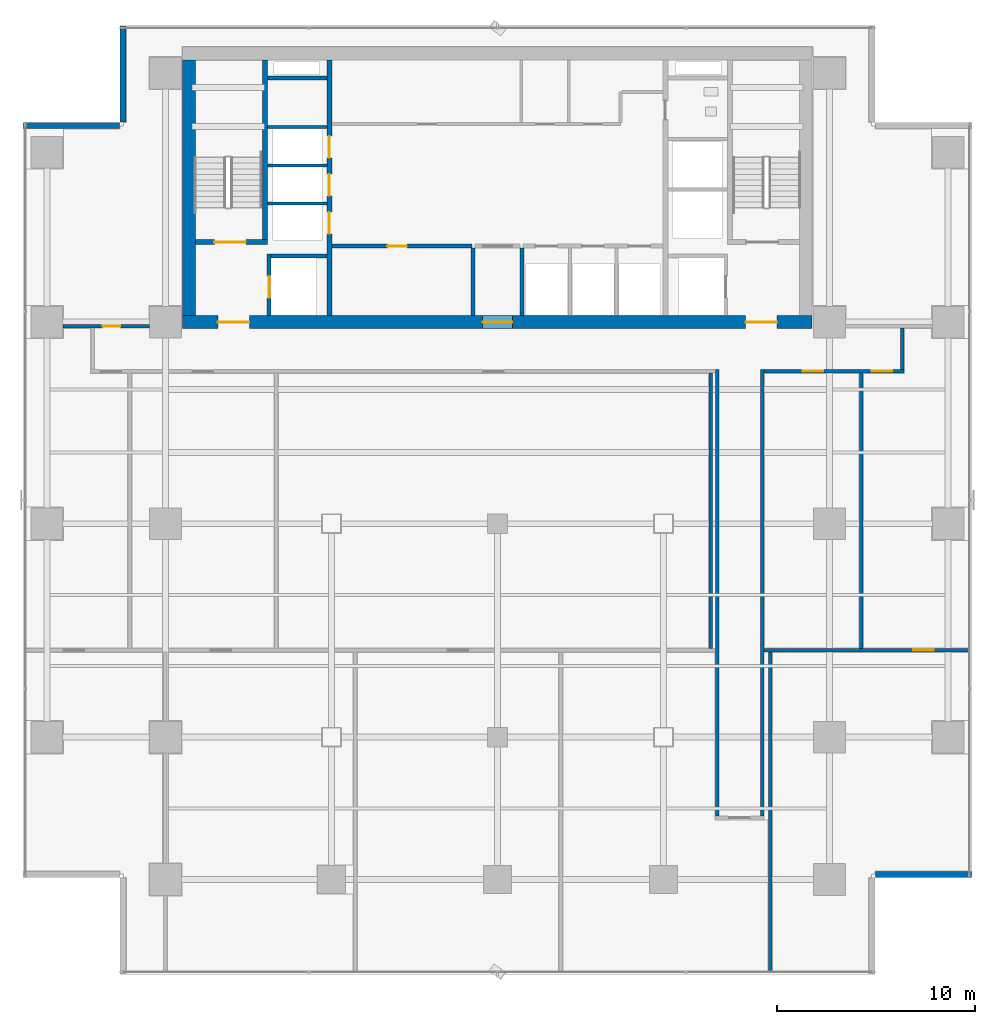
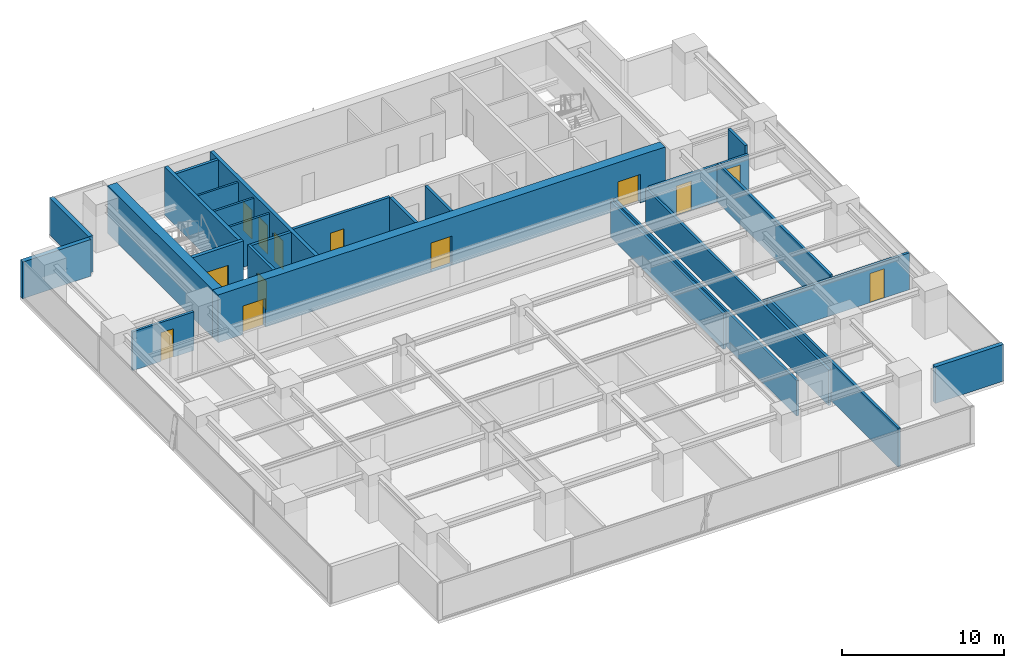
# One storey, part 21 of 28: 26 walls, 13 doors, 13 openings.
"""IFC4 building model written with IfcOpenShell, lengths in metres."""

import ifcopenshell
import ifcopenshell.guid

model = None  # the IFC model being written
_history = None  # IfcOwnerHistory: only IFC2X3 demands one
_inside = {}  # id of a spatial element -> (the spatial element, [elements in it])
_under = {}  # id of a project, library or spatial element -> (it, [spatial elements below it])
_declared = {}  # id of a project -> (the project, [libraries it declares])
_typed = {}  # id of a type object -> (the type object, [elements of that type])
_made_of = {}  # id of a material, layer set ... -> (it, [elements and type objects made of it])


def new_model(schema):
    """Start an empty IFC model of exactly this schema.

    Asked for "IFC4X3", IfcOpenShell would pick the latest addendum, in which some entities
    have other attributes; the version numbers below select the first issue.
    IFC2X3 requires an IfcOwnerHistory on every rooted entity: one is made here for all.
    """
    global model, _history
    if schema == "IFC4X3":
        model = ifcopenshell.file(schema_version=(4, 3, 0, 0))
    else:
        model = ifcopenshell.file(schema=schema)
    _inside.clear()
    _under.clear()
    _declared.clear()
    _typed.clear()
    _made_of.clear()
    _history = None
    if model.schema == "IFC2X3":
        org = make("IfcOrganization", Name="unknown")
        user = make(
            "IfcPersonAndOrganization",
            ThePerson=make("IfcPerson", FamilyName="unknown"),
            TheOrganization=org,
        )
        app = make(
            "IfcApplication",
            ApplicationDeveloper=org,
            Version="unknown",
            ApplicationFullName="unknown",
            ApplicationIdentifier="unknown",
        )
        _history = make(
            "IfcOwnerHistory",
            OwningUser=user,
            OwningApplication=app,
            ChangeAction="ADDED",
            CreationDate=0,
        )
    return model


def make(cls, **values):
    """One entity of the class cls with the attributes given. An attribute that is None is left unset."""
    return model.create_entity(
        cls, **{name: value for name, value in values.items() if value is not None}
    )


def rooted(cls, **values):
    """An entity with a GlobalId (a new one), such as an element, a storey or a relation."""
    return make(cls, GlobalId=ifcopenshell.guid.new(), OwnerHistory=_history, **values)


def si_unit(unit_type, name, prefix=None):
    """IfcSIUnit, for example si_unit("LENGTHUNIT", "METRE", prefix="MILLI")."""
    return make("IfcSIUnit", UnitType=unit_type, Prefix=prefix, Name=name)


def assignment(units):
    """IfcUnitAssignment: the units of a project."""
    return None if units is None else make("IfcUnitAssignment", Units=units)


def point(xyz):
    """IfcCartesianPoint."""
    return None if xyz is None else make("IfcCartesianPoint", Coordinates=xyz)


def direction(xyz):
    """IfcDirection."""
    return None if xyz is None else make("IfcDirection", DirectionRatios=xyz)


def frame(location, z_axis=None, x_axis=None):
    """IfcAxis2Placement3D, a coordinate frame: its origin and axes. An axis left out is left unset."""
    return make(
        "IfcAxis2Placement3D",
        Location=point(location),
        Axis=direction(z_axis),
        RefDirection=direction(x_axis),
    )


def frame_2d(location, x_axis=None):
    """IfcAxis2Placement2D, a coordinate frame in the plane: its origin and x axis."""
    return make(
        "IfcAxis2Placement2D", Location=point(location), RefDirection=direction(x_axis)
    )


def origin():
    """The frame at (0, 0, 0) with its axes left unset."""
    return frame((0.0, 0.0, 0.0))


def place(relative_to, where):
    """IfcLocalPlacement: puts the frame where relative to a parent placement (None: the world)."""
    return make(
        "IfcLocalPlacement", PlacementRelTo=relative_to, RelativePlacement=where
    )


def context(
    kind, dimensions, precision=None, world=None, true_north=None, identifier=None
):
    """IfcGeometricRepresentationContext, for example the 3D "Model" context."""
    return make(
        "IfcGeometricRepresentationContext",
        ContextIdentifier=identifier,
        ContextType=kind,
        CoordinateSpaceDimension=dimensions,
        Precision=precision,
        WorldCoordinateSystem=world,
        TrueNorth=true_north,
    )


def subcontext(parent, identifier, kind, view, scale=None):
    """IfcGeometricRepresentationSubContext, for example "Body" below "Model"."""
    return make(
        "IfcGeometricRepresentationSubContext",
        ContextIdentifier=identifier,
        ContextType=kind,
        ParentContext=parent,
        TargetScale=scale,
        TargetView=view,
    )


def project(units=None, contexts=None):
    """IfcProject with its units and contexts."""
    return rooted(
        "IfcProject",
        Name="project",
        RepresentationContexts=contexts,
        UnitsInContext=assignment(units),
    )


def spatial(cls, under=None, at=None, **own):
    """A site, building, storey or space (cls), placed at a placement, below another one or the project."""
    s = rooted(cls, ObjectPlacement=at, **own)
    if under is not None:
        _under.setdefault(under.id(), (under, []))[1].append(s)
    return s


def profile(cls, at=None, kind="AREA", **sizes):
    """A parametric profile (cls). Its sizes go by their IFC names, for example OverallWidth=200.0."""
    return make(cls, ProfileType=kind, Position=at, **sizes)


def rectangle(**sizes):
    """IfcRectangleProfileDef."""
    return profile("IfcRectangleProfileDef", **sizes)


def extrude(swept, where, along, depth):
    """IfcExtrudedAreaSolid: the profile swept, set in the frame where, extruded along a direction by depth."""
    return make(
        "IfcExtrudedAreaSolid",
        SweptArea=swept,
        Position=where,
        ExtrudedDirection=direction(along),
        Depth=depth,
    )


def shape(context_of_items, identifier, shape_type, items):
    """IfcShapeRepresentation: the items that make up one representation, for example the "Body"."""
    return make(
        "IfcShapeRepresentation",
        ContextOfItems=context_of_items,
        RepresentationIdentifier=identifier,
        RepresentationType=shape_type,
        Items=items,
    )


def source(mapping_origin, context_of_items, identifier, shape_type, items):
    """IfcRepresentationMap: a shape defined once, which mapped items show again and again."""
    return make(
        "IfcRepresentationMap",
        MappingOrigin=mapping_origin,
        MappedRepresentation=shape(context_of_items, identifier, shape_type, items),
    )


def transform(
    local_origin,
    x_axis=None,
    y_axis=None,
    z_axis=None,
    scale=None,
    scale2=None,
    scale3=None,
    uniform=True,
):
    """IfcCartesianTransformationOperator3D, or its non-uniform kind. x_axis, y_axis, z_axis: its Axis1, 2, 3."""
    if uniform:
        return make(
            "IfcCartesianTransformationOperator3D",
            Axis1=direction(x_axis),
            Axis2=direction(y_axis),
            LocalOrigin=point(local_origin),
            Scale=scale,
            Axis3=direction(z_axis),
        )
    return make(
        "IfcCartesianTransformationOperator3DnonUniform",
        Axis1=direction(x_axis),
        Axis2=direction(y_axis),
        LocalOrigin=point(local_origin),
        Scale=scale,
        Axis3=direction(z_axis),
        Scale2=scale2,
        Scale3=scale3,
    )


def mapped(mapping_source, mapping_target):
    """IfcMappedItem: shows the shape of a source again, moved by a transform."""
    return make(
        "IfcMappedItem", MappingSource=mapping_source, MappingTarget=mapping_target
    )


def material(Name=None, Category=None):
    """IfcMaterial."""
    return make("IfcMaterial", Name=Name, Category=Category)


def layer(
    of_material, thickness, ventilated=None, Name=None, Category=None, Priority=None
):
    """IfcMaterialLayer: one layer of a wall or slab, of a material (None: an air gap)."""
    return make(
        "IfcMaterialLayer",
        Material=of_material,
        LayerThickness=thickness,
        IsVentilated=ventilated,
        Name=Name,
        Category=Category,
        Priority=Priority,
    )


def layer_set(layers, Name=None):
    """IfcMaterialLayerSet."""
    return make("IfcMaterialLayerSet", MaterialLayers=layers, LayerSetName=Name)


def made_of(thing, what):
    """Note that an element or type object is made of a material, layer set ...; save() writes the relation."""
    if what is not None:
        _made_of.setdefault(what.id(), (what, []))[1].append(thing)
    return thing


def type_object(cls, material=None, **own):
    """A type object (cls), such as IfcWallType, which elements share."""
    return made_of(rooted(cls, **own), material)


def element(
    cls,
    number,
    at=None,
    inside=None,
    cuts=None,
    type_object=None,
    material=None,
    context=None,
    identifier="Body",
    shape_type=None,
    held_by="IfcProductDefinitionShape",
    body=None,
    shapes=None,
    **own,
):
    """One element of the class cls, such as IfcWall. Its Tag is "e" and its number.

    at: its placement. inside: the storey or other place that contains it. cuts: it is an
    opening in that element (IfcRelVoidsElement). A single representation is given by context,
    identifier, shape_type and body (its items); several are given by shapes. held_by: the class
    of the entity that holds the representations. save() writes the other relations.
    """
    e = rooted(cls, Tag="e%d" % number, ObjectPlacement=at, **own)
    if body is not None:
        shapes = [shape(context, identifier, shape_type, body)]
    if shapes is not None:
        e.Representation = make(held_by, Representations=shapes)
    if inside is not None:
        _inside.setdefault(inside.id(), (inside, []))[1].append(e)
    if cuts is not None:
        rooted(
            "IfcRelVoidsElement", RelatingBuildingElement=cuts, RelatedOpeningElement=e
        )
    if type_object is not None:
        _typed.setdefault(type_object.id(), (type_object, []))[1].append(e)
    return made_of(e, material)


def fill(opening, filler):
    """IfcRelFillsElement: the door or window that sits in an opening."""
    return rooted(
        "IfcRelFillsElement",
        RelatingOpeningElement=opening,
        RelatedBuildingElement=filler,
    )


def aggregate(whole, parts):
    """IfcRelAggregates: a whole, such as a stair, and the parts it consists of."""
    return rooted("IfcRelAggregates", RelatingObject=whole, RelatedObjects=parts)


def save(model, path):
    """Write the relations noted so far, then the file.

    IfcRelAggregates (storeys below a building ...), IfcRelContainedInSpatialStructure (elements
    in a storey), IfcRelDefinesByType, IfcRelAssociatesMaterial and IfcRelDeclares: one each for
    every whole, place, type object, material and project.
    """
    for whole, parts in _under.values():
        aggregate(whole, parts)
    for where, things in _inside.values():
        rooted(
            "IfcRelContainedInSpatialStructure",
            RelatedElements=things,
            RelatingStructure=where,
        )
    for kind, things in _typed.values():
        rooted("IfcRelDefinesByType", RelatedObjects=things, RelatingType=kind)
    for what, things in _made_of.values():
        rooted("IfcRelAssociatesMaterial", RelatedObjects=things, RelatingMaterial=what)
    for by, libraries in _declared.values():
        rooted("IfcRelDeclares", RelatingContext=by, RelatedDefinitions=libraries)
    model.write(path)


model = new_model("IFC4")

# Units and contexts
model_context = context("Model", 3, precision=1e-05, world=origin(), true_north=direction((0.0, 1.0)))
body_context = subcontext(model_context, "Body", "Model", "MODEL_VIEW")
ifc_project = project(units=[si_unit("LENGTHUNIT", "METRE"), si_unit("AREAUNIT", "SQUARE_METRE"), si_unit("VOLUMEUNIT", "CUBIC_METRE"), si_unit("PLANEANGLEUNIT", "RADIAN"), si_unit("MASSUNIT", "GRAM", prefix="KILO")], contexts=[model_context])

# Site, building, storey
site_placement = place(None, origin())
site = spatial("IfcSite", under=ifc_project, at=site_placement, CompositionType="ELEMENT")
building_placement = place(site_placement, origin())
building = spatial("IfcBuilding", under=site, at=building_placement, Name="Sumidabori Civic Tower", CompositionType="ELEMENT")
storey_placement = place(building_placement, frame((0.0, 0.0, 171.199951171875)))
storey = spatial("IfcBuildingStorey", under=building, at=storey_placement, Name="L44", CompositionType="ELEMENT", Elevation=171.199951171875)

# Walls
ifc_material_1 = material(Name="Concrete C50/60", Category="concrete")
ifc_layer_1 = layer(ifc_material_1, 0.199951171875, Name="Concrete C50/60")
ifc_layer_set_1 = layer_set([ifc_layer_1], Name="Concrete C50/60")
wall_type_1 = type_object("IfcWallType", Name="WL-SHAFT-200", PredefinedType="SHEAR", material=ifc_layer_set_1)
shared_shape_1 = source(origin(), body_context, "Body", "SweptSolid", [
    extrude(rectangle(XDim=2.824951171875, YDim=0.199951171875, at=frame_2d((1.41259765625, 0.0))), origin(), (0.0, 0.0, 1.0), 3.60009765625),
])
wall_1_placement = place(storey_placement, frame((-11.449951171875, 13.550048828125, 0.0), z_axis=(0.0, 0.0, 1.0), x_axis=(1.0, 0.0, 0.0)))
element("IfcWall", 1, at=wall_1_placement, inside=storey, type_object=wall_type_1, Name="Core Shear Wall L44 EL1-N", PredefinedType="SHEAR", context=body_context, shape_type="MappedRepresentation", body=[
    mapped(shared_shape_1, transform((0.0, 0.0, 0.0), x_axis=(1.0, 0.0, 0.0), y_axis=(0.0, 1.0, 0.0), z_axis=(0.0, 0.0, 1.0), scale=1.0)),
])
shared_shape_2 = source(origin(), body_context, "Body", "SweptSolid", [
    extrude(rectangle(XDim=3.02001953125, YDim=0.199951171875, at=frame_2d((1.510009765625, 0.0))), origin(), (0.0, 0.0, 1.0), 3.60009765625),
])
wall_2_placement = place(storey_placement, frame((-11.64501953125, 22.550048828125, 0.0), z_axis=(0.0, 0.0, 1.0), x_axis=(1.0, 0.0, 0.0)))
element("IfcWall", 2, at=wall_2_placement, inside=storey, type_object=wall_type_1, Name="Core Shear Wall L44 RIS1-S", PredefinedType="SHEAR", context=body_context, shape_type="MappedRepresentation", body=[
    mapped(shared_shape_2, transform((0.0, 0.0, 0.0), x_axis=(1.0, 0.0, 0.0), y_axis=(0.0, 1.0, 0.0), z_axis=(0.0, 0.0, 1.0), scale=1.0)),
])

# Wall, openings, doors
ifc_material_2 = material(Name="Concrete C60/75", Category="concrete")
ifc_layer_2 = layer(ifc_material_2, 0.64990234375, Name="Concrete C60/75")
ifc_layer_set_2 = layer_set([ifc_layer_2], Name="Concrete C60/75")
wall_type_2 = type_object("IfcWallType", Name="WL-CORE-650", PredefinedType="SHEAR", material=ifc_layer_set_2)
shared_shape_3 = source(origin(), body_context, "Body", "SweptSolid", [
    extrude(rectangle(XDim=31.85009765625, YDim=0.64990234375, at=frame_2d((15.925048828125, 0.0))), origin(), (0.0, 0.0, 1.0), 3.60009765625),
])
wall_3_placement = place(storey_placement, frame((-15.925048828125, 10.199951171875, 0.0), z_axis=(0.0, 0.0, 1.0), x_axis=(1.0, 0.0, 0.0)))
wall_3 = element("IfcWall", 3, at=wall_3_placement, inside=storey, type_object=wall_type_2, Name="Core Shear Wall L44 S", PredefinedType="SHEAR", context=body_context, shape_type="MappedRepresentation", body=[
    mapped(shared_shape_3, transform((0.0, 0.0, 0.0), x_axis=(1.0, 0.0, 0.0), y_axis=(0.0, 1.0, 0.0), z_axis=(0.0, 0.0, 1.0), scale=1.0)),
])
opening_1_placement = place(wall_3_placement, frame((1.77490234375, 0.0, 0.0)))
opening_1 = element("IfcOpeningElement", 4, at=opening_1_placement, cuts=wall_3, Name="Opening DR-FD4", PredefinedType="OPENING", context=body_context, shape_type="SweptSolid", body=[
    extrude(rectangle(XDim=1.60009765625, YDim=2.14990234375, at=frame_2d((0.800048828125, 1.074951171875))), frame((0.0, 0.3369140625, 0.0), z_axis=(0.0, -1.0, 0.0), x_axis=(1.0, 0.0, 0.0)), (0.0, 0.0, 1.0), 0.673828125),
])
opening_2_placement = place(wall_3_placement, frame((28.47509765625, 0.0, 0.0)))
opening_2 = element("IfcOpeningElement", 5, at=opening_2_placement, cuts=wall_3, Name="Opening DR-FD4", PredefinedType="OPENING", context=body_context, shape_type="SweptSolid", body=[
    extrude(rectangle(XDim=1.60009765625, YDim=2.14990234375, at=frame_2d((0.800048828125, 1.074951171875))), frame((0.0, 0.3369140625, 0.0), z_axis=(0.0, -1.0, 0.0), x_axis=(1.0, 0.0, 0.0)), (0.0, 0.0, 1.0), 0.673828125),
])
opening_3_placement = place(wall_3_placement, frame((15.175048828125, 0.0, 0.0)))
opening_3 = element("IfcOpeningElement", 6, at=opening_3_placement, cuts=wall_3, Name="Opening DR-FD3", PredefinedType="OPENING", context=body_context, shape_type="SweptSolid", body=[
    extrude(rectangle(XDim=1.5, YDim=2.199951171875, at=frame_2d((0.75, 1.10009765625))), frame((0.0, 0.3369140625, 0.0), z_axis=(0.0, -1.0, 0.0), x_axis=(1.0, 0.0, 0.0)), (0.0, 0.0, 1.0), 0.673828125),
])
ifc_material_3 = material(Name="Steel SN490", Category="steel")
door_type_1 = type_object("IfcDoorType", Name="DR-FD4", OperationType="DOUBLE_DOOR_SINGLE_SWING", PredefinedType="DOOR", material=ifc_material_3)
shared_shape_4 = source(origin(), body_context, "Body", "SweptSolid", [
    extrude(rectangle(XDim=1.60009765625, YDim=2.14990234375, at=frame_2d((0.800048828125, 1.074951171875))), frame((0.0, 0.02490234375, 0.0), z_axis=(0.0, -1.0, 0.0), x_axis=(1.0, 0.0, 0.0)), (0.0, 0.0, 1.0), 0.050048828125),
])
door_1_placement = place(opening_1_placement, origin())
door_1 = element("IfcDoor", 7, at=door_1_placement, inside=storey, type_object=door_type_1, Name="Door DR:L44:ELOB-W", OperationType="DOUBLE_DOOR_SINGLE_SWING", OverallHeight=2.14990234375, OverallWidth=1.60009765625, PredefinedType="DOOR", context=body_context, shape_type="MappedRepresentation", body=[
    mapped(shared_shape_4, transform((0.0, 0.0, 0.0), x_axis=(1.0, 0.0, 0.0), y_axis=(0.0, 1.0, 0.0), z_axis=(0.0, 0.0, 1.0), scale=1.0)),
])
fill(opening_1, door_1)
door_2_placement = place(opening_2_placement, origin())
door_2 = element("IfcDoor", 8, at=door_2_placement, inside=storey, type_object=door_type_1, Name="Door DR:L44:ELOB-E", OperationType="DOUBLE_DOOR_SINGLE_SWING", OverallHeight=2.14990234375, OverallWidth=1.60009765625, PredefinedType="DOOR", context=body_context, shape_type="MappedRepresentation", body=[
    mapped(shared_shape_4, transform((0.0, 0.0, 0.0), x_axis=(1.0, 0.0, 0.0), y_axis=(0.0, 1.0, 0.0), z_axis=(0.0, 0.0, 1.0), scale=1.0)),
])
fill(opening_2, door_2)
door_type_2 = type_object("IfcDoorType", Name="DR-FD-DBL", OperationType="DOUBLE_DOOR_SINGLE_SWING", PredefinedType="DOOR", material=ifc_material_3)
shared_shape_5 = source(origin(), body_context, "Body", "SweptSolid", [
    extrude(rectangle(XDim=1.5, YDim=2.199951171875, at=frame_2d((0.75, 1.10009765625))), frame((0.0, 0.02490234375, 0.0), z_axis=(0.0, -1.0, 0.0), x_axis=(1.0, 0.0, 0.0)), (0.0, 0.0, 1.0), 0.050048828125),
])
door_3_placement = place(opening_3_placement, origin())
door_3 = element("IfcDoor", 9, at=door_3_placement, inside=storey, type_object=door_type_2, Name="Door DR:L44:THROAT-OUT", OperationType="DOUBLE_DOOR_SINGLE_SWING", OverallHeight=2.199951171875, OverallWidth=1.5, PredefinedType="DOOR", context=body_context, shape_type="MappedRepresentation", body=[
    mapped(shared_shape_5, transform((0.0, 0.0, 0.0), x_axis=(1.0, 0.0, 0.0), y_axis=(0.0, 1.0, 0.0), z_axis=(0.0, 0.0, 1.0), scale=1.0)),
])
fill(opening_3, door_3)

# Wall
shared_shape_6 = source(origin(), body_context, "Body", "SweptSolid", [
    extrude(rectangle(XDim=12.9501953125, YDim=0.64990234375, at=frame_2d((6.47509765625, 0.0))), origin(), (0.0, 0.0, 1.0), 3.60009765625),
])
wall_4_placement = place(storey_placement, frame((-15.60009765625, 10.52490234375, 0.0), z_axis=(0.0, 0.0, 1.0), x_axis=(0.0, 1.0, 0.0)))
element("IfcWall", 10, at=wall_4_placement, inside=storey, type_object=wall_type_2, Name="Core Shear Wall L44 W", PredefinedType="SHEAR", context=body_context, shape_type="MappedRepresentation", body=[
    mapped(shared_shape_6, transform((0.0, 0.0, 0.0), x_axis=(1.0, 0.0, 0.0), y_axis=(0.0, 1.0, 0.0), z_axis=(0.0, 0.0, 1.0), scale=1.0)),
])

# Wall, openings, doors
ifc_layer_3 = layer(ifc_material_1, 0.25, Name="Concrete C50/60")
ifc_layer_set_3 = layer_set([ifc_layer_3], Name="Concrete C50/60")
wall_type_3 = type_object("IfcWallType", Name="WL-SHAFT-250", PredefinedType="SHEAR", material=ifc_layer_set_3)
shared_shape_7 = source(origin(), body_context, "Body", "SweptSolid", [
    extrude(rectangle(XDim=12.9501953125, YDim=0.25, at=frame_2d((6.47509765625, 0.0))), origin(), (0.0, 0.0, 1.0), 3.60009765625),
])
wall_5_placement = place(storey_placement, frame((-8.5, 10.52490234375, 0.0), z_axis=(0.0, 0.0, 1.0), x_axis=(0.0, 1.0, 0.0)))
wall_5 = element("IfcWall", 11, at=wall_5_placement, inside=storey, type_object=wall_type_3, Name="Core Shear Wall L44 WEB-W", PredefinedType="SHEAR", context=body_context, shape_type="MappedRepresentation", body=[
    mapped(shared_shape_7, transform((0.0, 0.0, 0.0), x_axis=(1.0, 0.0, 0.0), y_axis=(0.0, 1.0, 0.0), z_axis=(0.0, 0.0, 1.0), scale=1.0)),
])
opening_4_placement = place(wall_5_placement, frame((4.14501953125, 0.0, 0.0)))
opening_4 = element("IfcOpeningElement", 12, at=opening_4_placement, cuts=wall_5, Name="Opening LD-1", PredefinedType="OPENING", context=body_context, shape_type="SweptSolid", body=[
    extrude(rectangle(XDim=1.10009765625, YDim=2.14990234375, at=frame_2d((0.550048828125, 1.074951171875))), frame((0.0, 0.136962890625, 0.0), z_axis=(0.0, -1.0, 0.0), x_axis=(1.0, 0.0, 0.0)), (0.0, 0.0, 1.0), 0.27392578125),
])
opening_5_placement = place(wall_5_placement, frame((6.06494140625, 0.0, 0.0)))
opening_5 = element("IfcOpeningElement", 13, at=opening_5_placement, cuts=wall_5, Name="Opening LD-1", PredefinedType="OPENING", context=body_context, shape_type="SweptSolid", body=[
    extrude(rectangle(XDim=1.10009765625, YDim=2.14990234375, at=frame_2d((0.550048828125, 1.074951171875))), frame((0.0, 0.136962890625, 0.0), z_axis=(0.0, -1.0, 0.0), x_axis=(1.0, 0.0, 0.0)), (0.0, 0.0, 1.0), 0.27392578125),
])
opening_6_placement = place(wall_5_placement, frame((7.985107421875, 0.0, 0.0)))
opening_6 = element("IfcOpeningElement", 14, at=opening_6_placement, cuts=wall_5, Name="Opening LD-1", PredefinedType="OPENING", context=body_context, shape_type="SweptSolid", body=[
    extrude(rectangle(XDim=1.10009765625, YDim=2.14990234375, at=frame_2d((0.550048828125, 1.074951171875))), frame((0.0, 0.136962890625, 0.0), z_axis=(0.0, -1.0, 0.0), x_axis=(1.0, 0.0, 0.0)), (0.0, 0.0, 1.0), 0.27392578125),
])
ifc_material_4 = material(Name="Stainless Steel Hairline Finish", Category="steel")
door_type_3 = type_object("IfcDoorType", Name="DR-LD1", OperationType="DOUBLE_DOOR_SLIDING", PredefinedType="DOOR", material=ifc_material_4)
shared_shape_8 = source(origin(), body_context, "Body", "SweptSolid", [
    extrude(rectangle(XDim=1.10009765625, YDim=2.14990234375, at=frame_2d((0.550048828125, 1.074951171875))), frame((0.0, 0.02490234375, 0.0), z_axis=(0.0, -1.0, 0.0), x_axis=(1.0, 0.0, 0.0)), (0.0, 0.0, 1.0), 0.050048828125),
])
door_4_placement = place(opening_4_placement, origin())
door_4 = element("IfcDoor", 15, at=door_4_placement, inside=storey, type_object=door_type_3, Name="Door DR:L44:LD-PLH1", OperationType="DOUBLE_DOOR_SLIDING", OverallHeight=2.14990234375, OverallWidth=1.10009765625, PredefinedType="DOOR", context=body_context, shape_type="MappedRepresentation", body=[
    mapped(shared_shape_8, transform((0.0, 0.0, 0.0), x_axis=(1.0, 0.0, 0.0), y_axis=(0.0, 1.0, 0.0), z_axis=(0.0, 0.0, 1.0), scale=1.0)),
])
fill(opening_4, door_4)
door_5_placement = place(opening_5_placement, origin())
door_5 = element("IfcDoor", 16, at=door_5_placement, inside=storey, type_object=door_type_3, Name="Door DR:L44:LD-PLH2", OperationType="DOUBLE_DOOR_SLIDING", OverallHeight=2.14990234375, OverallWidth=1.10009765625, PredefinedType="DOOR", context=body_context, shape_type="MappedRepresentation", body=[
    mapped(shared_shape_8, transform((0.0, 0.0, 0.0), x_axis=(1.0, 0.0, 0.0), y_axis=(0.0, 1.0, 0.0), z_axis=(0.0, 0.0, 1.0), scale=1.0)),
])
fill(opening_5, door_5)
door_6_placement = place(opening_6_placement, origin())
door_6 = element("IfcDoor", 17, at=door_6_placement, inside=storey, type_object=door_type_3, Name="Door DR:L44:LD-PLH3", OperationType="DOUBLE_DOOR_SLIDING", OverallHeight=2.14990234375, OverallWidth=1.10009765625, PredefinedType="DOOR", context=body_context, shape_type="MappedRepresentation", body=[
    mapped(shared_shape_8, transform((0.0, 0.0, 0.0), x_axis=(1.0, 0.0, 0.0), y_axis=(0.0, 1.0, 0.0), z_axis=(0.0, 0.0, 1.0), scale=1.0)),
])
fill(opening_6, door_6)

# Wall, opening, door
shared_shape_9 = source(origin(), body_context, "Body", "SweptSolid", [
    extrude(rectangle(XDim=3.6298828125, YDim=0.25, at=frame_2d((1.81494140625, 0.0))), origin(), (0.0, 0.0, 1.0), 3.60009765625),
])
wall_6_placement = place(storey_placement, frame((-15.27490234375, 14.25, 0.0), z_axis=(0.0, 0.0, 1.0), x_axis=(1.0, 0.0, 0.0)))
wall_6 = element("IfcWall", 18, at=wall_6_placement, inside=storey, type_object=wall_type_3, Name="Core Shear Wall L44 ST1-S", PredefinedType="SHEAR", context=body_context, shape_type="MappedRepresentation", body=[
    mapped(shared_shape_9, transform((0.0, 0.0, 0.0), x_axis=(1.0, 0.0, 0.0), y_axis=(0.0, 1.0, 0.0), z_axis=(0.0, 0.0, 1.0), scale=1.0)),
])
opening_7_placement = place(wall_6_placement, frame((0.949951171875, 0.0, 0.0)))
opening_7 = element("IfcOpeningElement", 19, at=opening_7_placement, cuts=wall_6, Name="Opening DR-FD4", PredefinedType="OPENING", context=body_context, shape_type="SweptSolid", body=[
    extrude(rectangle(XDim=1.60009765625, YDim=2.14990234375, at=frame_2d((0.800048828125, 1.074951171875))), frame((0.0, 0.136962890625, 0.0), z_axis=(0.0, -1.0, 0.0), x_axis=(1.0, 0.0, 0.0)), (0.0, 0.0, 1.0), 0.27392578125),
])
door_7_placement = place(opening_7_placement, origin())
door_7 = element("IfcDoor", 20, at=door_7_placement, inside=storey, type_object=door_type_1, Name="Door DR:L44:ST1", OperationType="DOUBLE_DOOR_SINGLE_SWING", OverallHeight=2.14990234375, OverallWidth=1.60009765625, PredefinedType="DOOR", context=body_context, shape_type="MappedRepresentation", body=[
    mapped(shared_shape_4, transform((0.0, 0.0, 0.0), x_axis=(1.0, 0.0, 0.0), y_axis=(0.0, 1.0, 0.0), z_axis=(0.0, 0.0, 1.0), scale=1.0)),
])
fill(opening_7, door_7)

# Wall
shared_shape_10 = source(origin(), body_context, "Body", "SweptSolid", [
    extrude(rectangle(XDim=9.10009765625, YDim=0.25, at=frame_2d((4.550048828125, 0.0))), origin(), (0.0, 0.0, 1.0), 3.60009765625),
])
wall_7_placement = place(storey_placement, frame((-11.77001953125, 14.375, 0.0), z_axis=(0.0, 0.0, 1.0), x_axis=(0.0, 1.0, 0.0)))
element("IfcWall", 21, at=wall_7_placement, inside=storey, type_object=wall_type_3, Name="Core Shear Wall L44 ST1-E", PredefinedType="SHEAR", context=body_context, shape_type="MappedRepresentation", body=[
    mapped(shared_shape_10, transform((0.0, 0.0, 0.0), x_axis=(1.0, 0.0, 0.0), y_axis=(0.0, 1.0, 0.0), z_axis=(0.0, 0.0, 1.0), scale=1.0)),
])

# Wall, opening, door
shared_shape_11 = source(origin(), body_context, "Body", "SweptSolid", [
    extrude(rectangle(XDim=3.125, YDim=0.199951171875, at=frame_2d((1.5625, 0.0))), origin(), (0.0, 0.0, 1.0), 3.60009765625),
])
wall_8_placement = place(storey_placement, frame((-11.550048828125, 10.52490234375, 0.0), z_axis=(0.0, 0.0, 1.0), x_axis=(0.0, 1.0, 0.0)))
wall_8 = element("IfcWall", 22, at=wall_8_placement, inside=storey, type_object=wall_type_1, Name="Core Shear Wall L44 EL1-W", PredefinedType="SHEAR", context=body_context, shape_type="MappedRepresentation", body=[
    mapped(shared_shape_11, transform((0.0, 0.0, 0.0), x_axis=(1.0, 0.0, 0.0), y_axis=(0.0, 1.0, 0.0), z_axis=(0.0, 0.0, 1.0), scale=1.0)),
])
opening_8_placement = place(wall_8_placement, frame((0.89990234375, 0.0, 0.0)))
opening_8 = element("IfcOpeningElement", 23, at=opening_8_placement, cuts=wall_8, Name="Opening LD-2", PredefinedType="OPENING", context=body_context, shape_type="SweptSolid", body=[
    extrude(rectangle(XDim=1.10009765625, YDim=2.14990234375, at=frame_2d((0.550048828125, 1.074951171875))), frame((0.0, 0.11181640625, 0.0), z_axis=(0.0, -1.0, 0.0), x_axis=(1.0, 0.0, 0.0)), (0.0, 0.0, 1.0), 0.223876953125),
])
door_type_4 = type_object("IfcDoorType", Name="DR-LD2", OperationType="DOUBLE_DOOR_SLIDING", PredefinedType="DOOR", material=ifc_material_4)
door_8_placement = place(opening_8_placement, origin())
door_8 = element("IfcDoor", 24, at=door_8_placement, inside=storey, type_object=door_type_4, Name="Door DR:L44:LD-EL1", OperationType="DOUBLE_DOOR_SLIDING", OverallHeight=2.14990234375, OverallWidth=1.10009765625, PredefinedType="DOOR", context=body_context, shape_type="MappedRepresentation", body=[
    mapped(shared_shape_8, transform((0.0, 0.0, 0.0), x_axis=(1.0, 0.0, 0.0), y_axis=(0.0, 1.0, 0.0), z_axis=(0.0, 0.0, 1.0), scale=1.0)),
])
fill(opening_8, door_8)

# Walls
ifc_material_5 = material(Name="Precast concrete C40/50", Category="concrete")
ifc_layer_4 = layer(ifc_material_5, 0.300048828125, Name="Precast concrete C40/50")
ifc_layer_set_4 = layer_set([ifc_layer_4], Name="Precast concrete C40/50")
wall_type_4 = type_object("IfcWallType", Name="WL-EXT-POD300", PredefinedType="STANDARD", material=ifc_layer_set_4)
shared_shape_12 = source(origin(), body_context, "Body", "SweptSolid", [
    extrude(rectangle(XDim=4.85986328125, YDim=0.300048828125, at=frame_2d((2.429931640625, 0.0))), origin(), (0.0, 0.0, 1.0), 2.760009765625),
])
for number, where, z_axis, x_axis, name in (
    (25, (19.1201171875, -17.75, 0.0), (0.0, 0.0, 1.0), (1.0, 0.0, 0.0), "Notched Corner Spandrel Band L44-03"),
    (26, (-18.949951171875, 25.179931640625, 0.0), (0.0, 0.0, 1.0), (0.0, -1.0, 0.0), "Notched Corner Spandrel Band L44-08"),
    (27, (-19.1201171875, 20.14990234375, 0.0), (0.0, 0.0, 1.0), (-1.0, 0.0, 0.0), "Notched Corner Spandrel Band L44-09"),
):
    element("IfcWall", number, at=place(storey_placement, frame(where, z_axis=z_axis, x_axis=x_axis)), inside=storey, type_object=wall_type_4, Name=name, PredefinedType="STANDARD", context=body_context, shape_type="MappedRepresentation", body=[
        mapped(shared_shape_12, transform((0.0, 0.0, 0.0), x_axis=(1.0, 0.0, 0.0), y_axis=(0.0, 1.0, 0.0), z_axis=(0.0, 0.0, 1.0), scale=1.0)),
    ])
ifc_material_6 = material(Name="Gypsum Plasterboard Acoustic Partition")
ifc_layer_5 = layer(ifc_material_6, 0.14990234375, Name="Gypsum Plasterboard Acoustic Partition")
ifc_layer_set_5 = layer_set([ifc_layer_5], Name="Gypsum Plasterboard Acoustic Partition")
wall_type_5 = type_object("IfcWallType", Name="WL-PART-150", PredefinedType="PARTITIONING", material=ifc_layer_set_5)
shared_shape_13 = source(origin(), body_context, "Body", "SweptSolid", [
    extrude(rectangle(XDim=3.010009765625, YDim=0.14990234375, at=frame_2d((1.5048828125, 0.0))), origin(), (0.0, 0.0, 1.0), 3.380126953125),
])
for number, where, z_axis, x_axis, name in (
    (28, (-11.639892578125, 16.199951171875, 0.0), (0.0, 0.0, 1.0), (1.0, 0.0, 0.0), "Interior Partition WL:L44:DIV-PLH1"),
    (29, (-11.639892578125, 18.1201171875, 0.0), (0.0, 0.0, 1.0), (1.0, 0.0, 0.0), "Interior Partition WL:L44:DIV-PLH2"),
    (30, (-11.639892578125, 20.080078125, 0.0), (0.0, 0.0, 1.0), (1.0, 0.0, 0.0), "Interior Partition WL:L44:DIV-PLH3"),
):
    element("IfcWall", number, at=place(storey_placement, frame(where, z_axis=z_axis, x_axis=x_axis)), inside=storey, type_object=wall_type_5, Name=name, PredefinedType="PARTITIONING", context=body_context, shape_type="MappedRepresentation", body=[
        mapped(shared_shape_13, transform((0.0, 0.0, 0.0), x_axis=(1.0, 0.0, 0.0), y_axis=(0.0, 1.0, 0.0), z_axis=(0.0, 0.0, 1.0), scale=1.0)),
    ])

# Wall, opening, door
ifc_material_7 = material(Name="Gypsum Plasterboard Fire Partition")
ifc_layer_6 = layer(ifc_material_7, 0.199951171875, Name="Gypsum Plasterboard Fire Partition")
ifc_layer_set_6 = layer_set([ifc_layer_6], Name="Gypsum Plasterboard Fire Partition")
wall_type_6 = type_object("IfcWallType", Name="WL-PART-FIRE", PredefinedType="PARTITIONING", material=ifc_layer_set_6)
shared_shape_14 = source(origin(), body_context, "Body", "SweptSolid", [
    extrude(rectangle(XDim=7.070068359375, YDim=0.199951171875, at=frame_2d((3.53515625, 0.0))), origin(), (0.0, 0.0, 1.0), 3.380126953125),
])
wall_9_placement = place(storey_placement, frame((-8.3701171875, 14.050048828125, 0.0), z_axis=(0.0, 0.0, 1.0), x_axis=(1.0, 0.0, 0.0)))
wall_9 = element("IfcWall", 31, at=wall_9_placement, inside=storey, type_object=wall_type_6, Name="Interior Partition WL:L44:CBAND-SW", PredefinedType="PARTITIONING", context=body_context, shape_type="MappedRepresentation", body=[
    mapped(shared_shape_14, transform((0.0, 0.0, 0.0), x_axis=(1.0, 0.0, 0.0), y_axis=(0.0, 1.0, 0.0), z_axis=(0.0, 0.0, 1.0), scale=1.0)),
])
opening_9_placement = place(wall_9_placement, frame((2.800048828125, 0.0, 0.0)))
opening_9 = element("IfcOpeningElement", 32, at=opening_9_placement, cuts=wall_9, Name="Opening DR-3", PredefinedType="OPENING", context=body_context, shape_type="SweptSolid", body=[
    extrude(rectangle(XDim=0.97998046875, YDim=2.14990234375, at=frame_2d((0.489990234375, 1.074951171875))), frame((0.0, 0.11181640625, 0.0), z_axis=(0.0, -1.0, 0.0), x_axis=(1.0, 0.0, 0.0)), (0.0, 0.0, 1.0), 0.223876953125),
])
ifc_material_8 = material(Name="Japanese Hinoki Timber", Category="wood")
door_type_5 = type_object("IfcDoorType", Name="DR-INT-980", OperationType="NOTDEFINED", PredefinedType="DOOR", material=ifc_material_8)
shared_shape_15 = source(origin(), body_context, "Body", "SweptSolid", [
    extrude(rectangle(XDim=0.97998046875, YDim=2.14990234375, at=frame_2d((0.489990234375, 1.074951171875))), frame((0.0, 0.02490234375, 0.0), z_axis=(0.0, -1.0, 0.0), x_axis=(1.0, 0.0, 0.0)), (0.0, 0.0, 1.0), 0.050048828125),
])
door_9_placement = place(opening_9_placement, origin())
door_9 = element("IfcDoor", 33, at=door_9_placement, inside=storey, type_object=door_type_5, Name="Door DR:L44:REC-B1", OperationType="SINGLE_SWING_LEFT", OverallHeight=2.14990234375, OverallWidth=0.97998046875, PredefinedType="DOOR", context=body_context, shape_type="MappedRepresentation", body=[
    mapped(shared_shape_15, transform((0.0, 0.0, 0.0), x_axis=(1.0, 0.0, 0.0), y_axis=(0.0, 1.0, 0.0), z_axis=(0.0, 0.0, 1.0), scale=1.0)),
])
fill(opening_9, door_9)

# Walls
shared_shape_16 = source(origin(), body_context, "Body", "SweptSolid", [
    extrude(rectangle(XDim=3.4150390625, YDim=0.199951171875, at=frame_2d((1.70751953125, 0.0))), origin(), (0.0, 0.0, 1.0), 3.380126953125),
])
for number, where, z_axis, x_axis, name in (
    (34, (-1.25, 10.52490234375, 0.0), (0.0, 0.0, 1.0), (0.0, 1.0, 0.0), "Interior Partition WL:L44:THROAT-W"),
    (35, (1.25, 10.52490234375, 0.0), (0.0, 0.0, 1.0), (0.0, 1.0, 0.0), "Interior Partition WL:L44:THROAT-E"),
):
    element("IfcWall", number, at=place(storey_placement, frame(where, z_axis=z_axis, x_axis=x_axis)), inside=storey, type_object=wall_type_6, Name=name, PredefinedType="PARTITIONING", context=body_context, shape_type="MappedRepresentation", body=[
        mapped(shared_shape_16, transform((0.0, 0.0, 0.0), x_axis=(1.0, 0.0, 0.0), y_axis=(0.0, 1.0, 0.0), z_axis=(0.0, 0.0, 1.0), scale=1.0)),
    ])

# Wall, opening, door
ifc_layer_7 = layer(ifc_material_6, 0.179931640625, Name="Gypsum Plasterboard Acoustic Partition")
ifc_layer_set_7 = layer_set([ifc_layer_7], Name="Gypsum Plasterboard Acoustic Partition")
wall_type_7 = type_object("IfcWallType", Name="WL-PART-180", PredefinedType="PARTITIONING", material=ifc_layer_set_7)
shared_shape_17 = source(origin(), body_context, "Body", "SweptSolid", [
    extrude(rectangle(XDim=4.3798828125, YDim=0.179931640625, at=frame_2d((2.18994140625, 0.0))), origin(), (0.0, 0.0, 1.0), 2.9150390625),
])
wall_10_placement = place(storey_placement, frame((-21.989990234375, 10.0, 0.0), z_axis=(0.0, 0.0, 1.0), x_axis=(1.0, 0.0, 0.0)))
wall_10 = element("IfcWall", 36, at=wall_10_placement, inside=storey, type_object=wall_type_7, Name="Interior Partition WL:L44:FLK-NW", PredefinedType="PARTITIONING", context=body_context, shape_type="MappedRepresentation", body=[
    mapped(shared_shape_17, transform((0.0, 0.0, 0.0), x_axis=(1.0, 0.0, 0.0), y_axis=(0.0, 1.0, 0.0), z_axis=(0.0, 0.0, 1.0), scale=1.0)),
])
opening_10_placement = place(wall_10_placement, frame((2.014892578125, 0.0, 0.0)))
opening_10 = element("IfcOpeningElement", 37, at=opening_10_placement, cuts=wall_10, Name="Opening DR-1", PredefinedType="OPENING", context=body_context, shape_type="SweptSolid", body=[
    extrude(rectangle(XDim=0.89990234375, YDim=2.14990234375, at=frame_2d((0.449951171875, 1.074951171875))), frame((0.0, 0.10205078125, 0.0), z_axis=(0.0, -1.0, 0.0), x_axis=(1.0, 0.0, 0.0)), (0.0, 0.0, 1.0), 0.203857421875),
])
door_type_6 = type_object("IfcDoorType", Name="DR-INT-900", OperationType="NOTDEFINED", PredefinedType="DOOR", material=ifc_material_8)
shared_shape_18 = source(origin(), body_context, "Body", "SweptSolid", [
    extrude(rectangle(XDim=0.89990234375, YDim=2.14990234375, at=frame_2d((0.449951171875, 1.074951171875))), frame((0.0, 0.02490234375, 0.0), z_axis=(0.0, -1.0, 0.0), x_axis=(1.0, 0.0, 0.0)), (0.0, 0.0, 1.0), 0.050048828125),
])
door_10_placement = place(opening_10_placement, origin())
door_10 = element("IfcDoor", 38, at=door_10_placement, inside=storey, type_object=door_type_6, Name="Door DR:L44:FLK-NW", OperationType="SINGLE_SWING_LEFT", OverallHeight=2.14990234375, OverallWidth=0.89990234375, PredefinedType="DOOR", context=body_context, shape_type="MappedRepresentation", body=[
    mapped(shared_shape_18, transform((0.0, 0.0, 0.0), x_axis=(1.0, 0.0, 0.0), y_axis=(0.0, 1.0, 0.0), z_axis=(0.0, 0.0, 1.0), scale=1.0)),
])
fill(opening_10, door_10)

# Wall, openings, doors
shared_shape_19 = source(origin(), body_context, "Body", "SweptSolid", [
    extrude(rectangle(XDim=7.10009765625, YDim=0.179931640625, at=frame_2d((3.550048828125, 0.0))), origin(), (0.0, 0.0, 1.0), 2.76513671875),
])
wall_11_placement = place(storey_placement, frame((13.47998046875, 7.7099609375, 0.0), z_axis=(0.0, 0.0, 1.0), x_axis=(1.0, 0.0, 0.0)))
wall_11 = element("IfcWall", 39, at=wall_11_placement, inside=storey, type_object=wall_type_7, Name="Interior Partition WL:L44:CORR-SE", PredefinedType="PARTITIONING", context=body_context, shape_type="MappedRepresentation", body=[
    mapped(shared_shape_19, transform((0.0, 0.0, 0.0), x_axis=(1.0, 0.0, 0.0), y_axis=(0.0, 1.0, 0.0), z_axis=(0.0, 0.0, 1.0), scale=1.0)),
])
opening_11_placement = place(wall_11_placement, frame((5.465087890625, 0.0, 0.0)))
opening_11 = element("IfcOpeningElement", 40, at=opening_11_placement, cuts=wall_11, Name="Opening DR-4", PredefinedType="OPENING", context=body_context, shape_type="SweptSolid", body=[
    extrude(rectangle(XDim=1.0400390625, YDim=2.199951171875, at=frame_2d((0.52001953125, 1.10009765625))), frame((0.0, 0.10205078125, 0.0), z_axis=(0.0, -1.0, 0.0), x_axis=(1.0, 0.0, 0.0)), (0.0, 0.0, 1.0), 0.203857421875),
])
opening_12_placement = place(wall_11_placement, frame((1.955078125, 0.0, 0.0)))
opening_12 = element("IfcOpeningElement", 41, at=opening_12_placement, cuts=wall_11, Name="Opening DR-4", PredefinedType="OPENING", context=body_context, shape_type="SweptSolid", body=[
    extrude(rectangle(XDim=1.0400390625, YDim=2.199951171875, at=frame_2d((0.52001953125, 1.10009765625))), frame((0.0, 0.10205078125, 0.0), z_axis=(0.0, -1.0, 0.0), x_axis=(1.0, 0.0, 0.0)), (0.0, 0.0, 1.0), 0.203857421875),
])
door_type_7 = type_object("IfcDoorType", Name="DR-INT-1040", OperationType="NOTDEFINED", PredefinedType="DOOR", material=ifc_material_8)
shared_shape_20 = source(origin(), body_context, "Body", "SweptSolid", [
    extrude(rectangle(XDim=1.0400390625, YDim=2.199951171875, at=frame_2d((0.52001953125, 1.10009765625))), frame((0.0, 0.02490234375, 0.0), z_axis=(0.0, -1.0, 0.0), x_axis=(1.0, 0.0, 0.0)), (0.0, 0.0, 1.0), 0.050048828125),
])
door_11_placement = place(opening_11_placement, origin())
door_11 = element("IfcDoor", 42, at=door_11_placement, inside=storey, type_object=door_type_7, Name="Door DR:L44:D03", OperationType="SINGLE_SWING_LEFT", OverallHeight=2.199951171875, OverallWidth=1.0400390625, PredefinedType="DOOR", context=body_context, shape_type="MappedRepresentation", body=[
    mapped(shared_shape_20, transform((0.0, 0.0, 0.0), x_axis=(1.0, 0.0, 0.0), y_axis=(0.0, 1.0, 0.0), z_axis=(0.0, 0.0, 1.0), scale=1.0)),
])
fill(opening_11, door_11)
door_12_placement = place(opening_12_placement, origin())
door_12 = element("IfcDoor", 43, at=door_12_placement, inside=storey, type_object=door_type_7, Name="Door DR:L44:D06", OperationType="SINGLE_SWING_RIGHT", OverallHeight=2.199951171875, OverallWidth=1.0400390625, PredefinedType="DOOR", context=body_context, shape_type="MappedRepresentation", body=[
    mapped(shared_shape_20, transform((0.0, 0.0, 0.0), x_axis=(1.0, 0.0, 0.0), y_axis=(0.0, 1.0, 0.0), z_axis=(0.0, 0.0, 1.0), scale=1.0)),
])
fill(opening_12, door_12)

# Walls
shared_shape_21 = source(origin(), body_context, "Body", "SweptSolid", [
    extrude(rectangle(XDim=2.10009765625, YDim=0.179931640625, at=frame_2d((1.050048828125, 0.0))), origin(), (0.0, 0.0, 1.0), 3.380126953125),
])
wall_12_placement = place(storey_placement, frame((20.489990234375, 7.804931640625, 0.0), z_axis=(0.0, 0.0, 1.0), x_axis=(0.0, 1.0, 0.0)))
element("IfcWall", 44, at=wall_12_placement, inside=storey, type_object=wall_type_7, Name="Interior Partition WL:L44:CORR-VNE", PredefinedType="PARTITIONING", context=body_context, shape_type="MappedRepresentation", body=[
    mapped(shared_shape_21, transform((0.0, 0.0, 0.0), x_axis=(1.0, 0.0, 0.0), y_axis=(0.0, 1.0, 0.0), z_axis=(0.0, 0.0, 1.0), scale=1.0)),
])
shared_shape_22 = source(origin(), body_context, "Body", "SweptSolid", [
    extrude(rectangle(XDim=22.594970703125, YDim=0.179931640625, at=frame_2d((11.29736328125, 0.0))), origin(), (0.0, 0.0, 1.0), 2.6650390625),
])
for number, where, z_axis, x_axis, name in (
    (45, (11.110107421875, -14.794921875, 0.0), (0.0, 0.0, 1.0), (0.0, 1.0, 0.0), "Interior Partition WL:L44:CORR-VL-W"),
    (46, (13.389892578125, -14.794921875, 0.0), (0.0, 0.0, 1.0), (0.0, 1.0, 0.0), "Interior Partition WL:L44:CORR-VL-E"),
):
    element("IfcWall", number, at=place(storey_placement, frame(where, z_axis=z_axis, x_axis=x_axis)), inside=storey, type_object=wall_type_7, Name=name, PredefinedType="PARTITIONING", context=body_context, shape_type="MappedRepresentation", body=[
        mapped(shared_shape_22, transform((0.0, 0.0, 0.0), x_axis=(1.0, 0.0, 0.0), y_axis=(0.0, 1.0, 0.0), z_axis=(0.0, 0.0, 1.0), scale=1.0)),
    ])

# Wall, opening, door
shared_shape_23 = source(origin(), body_context, "Body", "SweptSolid", [
    extrude(rectangle(XDim=10.364990234375, YDim=0.179931640625, at=frame_2d((5.1826171875, 0.0))), origin(), (0.0, 0.0, 1.0), 2.76513671875),
])
wall_13_placement = place(storey_placement, frame((13.485107421875, -6.39990234375, 0.0), z_axis=(0.0, 0.0, 1.0), x_axis=(1.0, 0.0, 0.0)))
wall_13 = element("IfcWall", 47, at=wall_13_placement, inside=storey, type_object=wall_type_7, Name="Interior Partition WL:L44:BAND-Y-2", PredefinedType="PARTITIONING", context=body_context, shape_type="MappedRepresentation", body=[
    mapped(shared_shape_23, transform((0.0, 0.0, 0.0), x_axis=(1.0, 0.0, 0.0), y_axis=(0.0, 1.0, 0.0), z_axis=(0.0, 0.0, 1.0), scale=1.0)),
])
opening_13_placement = place(wall_13_placement, frame((7.544921875, 0.0, 0.0)))
opening_13 = element("IfcOpeningElement", 48, at=opening_13_placement, cuts=wall_13, Name="Opening DR-4", PredefinedType="OPENING", context=body_context, shape_type="SweptSolid", body=[
    extrude(rectangle(XDim=1.0400390625, YDim=2.199951171875, at=frame_2d((0.52001953125, 1.10009765625))), frame((0.0, 0.10205078125, 0.0), z_axis=(0.0, -1.0, 0.0), x_axis=(1.0, 0.0, 0.0)), (0.0, 0.0, 1.0), 0.203857421875),
])
door_13_placement = place(opening_13_placement, origin())
door_13 = element("IfcDoor", 49, at=door_13_placement, inside=storey, type_object=door_type_7, Name="Door DR:L44:D09", OperationType="SINGLE_SWING_LEFT", OverallHeight=2.199951171875, OverallWidth=1.0400390625, PredefinedType="DOOR", context=body_context, shape_type="MappedRepresentation", body=[
    mapped(shared_shape_20, transform((0.0, 0.0, 0.0), x_axis=(1.0, 0.0, 0.0), y_axis=(0.0, 1.0, 0.0), z_axis=(0.0, 0.0, 1.0), scale=1.0)),
])
fill(opening_13, door_13)

# Walls
shared_shape_24 = source(origin(), body_context, "Body", "SweptSolid", [
    extrude(rectangle(XDim=13.919921875, YDim=0.179931640625, at=frame_2d((6.9599609375, 0.0))), origin(), (0.0, 0.0, 1.0), 2.9150390625),
])
wall_14_placement = place(storey_placement, frame((18.39990234375, -6.304931640625, 0.0), z_axis=(0.0, 0.0, 1.0), x_axis=(0.0, 1.0, 0.0)))
element("IfcWall", 50, at=wall_14_placement, inside=storey, type_object=wall_type_7, Name="Interior Partition WL:L44:VX-N4", PredefinedType="PARTITIONING", context=body_context, shape_type="MappedRepresentation", body=[
    mapped(shared_shape_24, transform((0.0, 0.0, 0.0), x_axis=(1.0, 0.0, 0.0), y_axis=(0.0, 1.0, 0.0), z_axis=(0.0, 0.0, 1.0), scale=1.0)),
])
shared_shape_25 = source(origin(), body_context, "Body", "SweptSolid", [
    extrude(rectangle(XDim=13.919921875, YDim=0.179931640625, at=frame_2d((6.9599609375, 0.0))), origin(), (0.0, 0.0, 1.0), 2.6650390625),
])
wall_15_placement = place(storey_placement, frame((10.800048828125, -6.304931640625, 0.0), z_axis=(0.0, 0.0, 1.0), x_axis=(0.0, 1.0, 0.0)))
element("IfcWall", 51, at=wall_15_placement, inside=storey, type_object=wall_type_7, Name="Interior Partition WL:L44:VX-N3", PredefinedType="PARTITIONING", context=body_context, shape_type="MappedRepresentation", body=[
    mapped(shared_shape_25, transform((0.0, 0.0, 0.0), x_axis=(1.0, 0.0, 0.0), y_axis=(0.0, 1.0, 0.0), z_axis=(0.0, 0.0, 1.0), scale=1.0)),
])
shared_shape_26 = source(origin(), body_context, "Body", "SweptSolid", [
    extrude(rectangle(XDim=16.15478515625, YDim=0.179931640625, at=frame_2d((8.077392578125, 0.0))), origin(), (0.0, 0.0, 1.0), 2.9150390625),
])
wall_16_placement = place(storey_placement, frame((13.800048828125, -22.64990234375, 0.0), z_axis=(0.0, 0.0, 1.0), x_axis=(0.0, 1.0, 0.0)))
element("IfcWall", 52, at=wall_16_placement, inside=storey, type_object=wall_type_7, Name="Interior Partition WL:L44:VX-S4", PredefinedType="PARTITIONING", context=body_context, shape_type="MappedRepresentation", body=[
    mapped(shared_shape_26, transform((0.0, 0.0, 0.0), x_axis=(1.0, 0.0, 0.0), y_axis=(0.0, 1.0, 0.0), z_axis=(0.0, 0.0, 1.0), scale=1.0)),
])

save(model, "model.ifc")
